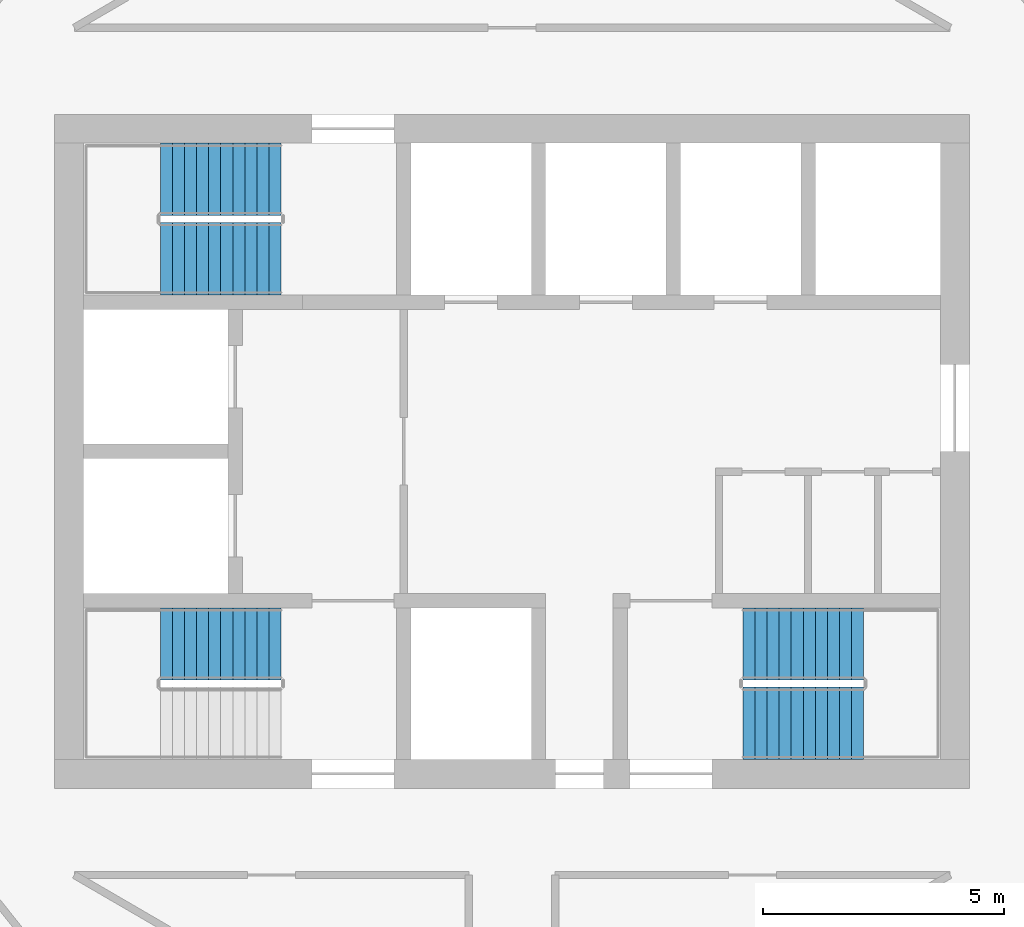
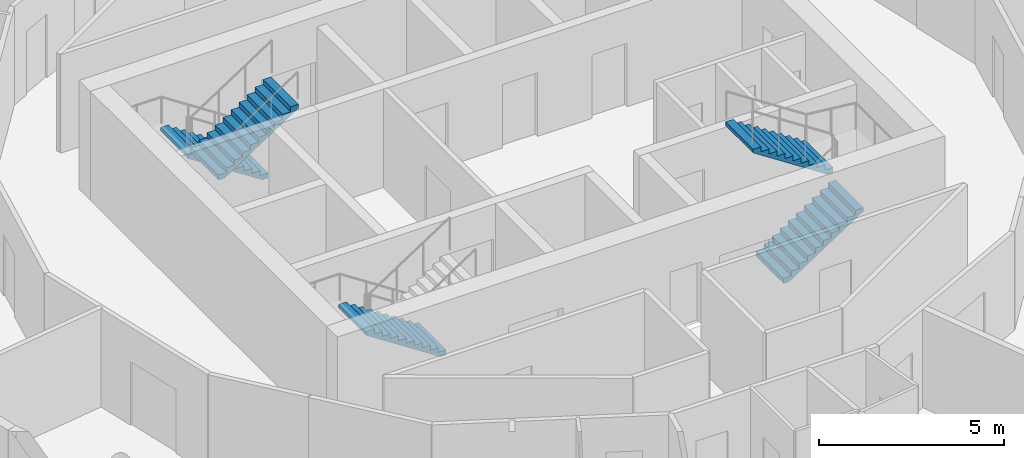
# One storey, part 12 of 13: 5 stair flights, 3 elements without a shape of their own.
"""IFC4 building model written with IfcOpenShell, lengths in metres."""

from ifc_helpers import new_model, si_unit, direction, frame, origin, place, context, subcontext, project, spatial, polyline, outline, extrude, material, type_object, element, aggregate, save


model = new_model("IFC4")

# Units and contexts
model_context = context("Model", 3, precision=1e-05, world=origin(), true_north=direction((0.0, 1.0)))
body_context = subcontext(model_context, "Body", "Model", "MODEL_VIEW")
ifc_project = project(units=[si_unit("LENGTHUNIT", "METRE"), si_unit("AREAUNIT", "SQUARE_METRE"), si_unit("VOLUMEUNIT", "CUBIC_METRE"), si_unit("PLANEANGLEUNIT", "RADIAN"), si_unit("MASSUNIT", "GRAM", prefix="KILO")], contexts=[model_context])

# Site, building, storey
site_placement = place(None, origin())
site = spatial("IfcSite", under=ifc_project, at=site_placement, CompositionType="ELEMENT")
building_placement = place(site_placement, origin())
building = spatial("IfcBuilding", under=site, at=building_placement, Name="Tracery Tower", CompositionType="ELEMENT")
storey_placement = place(building_placement, frame((0.0, 0.0, 319.800048828125)))
storey = spatial("IfcBuildingStorey", under=building, at=storey_placement, Name="L83", CompositionType="ELEMENT", Elevation=319.800048828125)

# Stair, stair flight
ifc_material_1 = material(Name="Concrete C32/40", Category="concrete")
stair_type = type_object("IfcStairType", Name="Core stair 22 risers", PredefinedType="HALF_TURN_STAIR", material=ifc_material_1)
stair_1_placement = place(storey_placement, origin())
stair_1 = element("IfcStair", 1, at=stair_1_placement, inside=storey, type_object=stair_type, Name="L83 stair ST1", PredefinedType="HALF_TURN_STAIR")
ifc_material_2 = material(Name="Concrete C32/40", Category="concrete")
stair_flight_type = type_object("IfcStairFlightType", Name="Core stair flight 11 risers", PredefinedType="STRAIGHT", material=ifc_material_2)
stair_flight_1_placement = place(storey_placement, frame((-4.800048828125, -4.0, 0.0), z_axis=(0.0, 0.0, 1.0), x_axis=(-1.0, 0.0, 0.0)))
stair_flight_1 = element("IfcStairFlight", 2, at=stair_flight_1_placement, type_object=stair_flight_type, Name="ST1 flight 1", NumberOfRisers=11, NumberOfTreads=10, PredefinedType="STRAIGHT", RiserHeight=0.163636364, TreadLength=0.25, context=body_context, shape_type="SweptSolid", body=[
    extrude(outline(polyline([(0.0, 0.0), (0.0, 0.002685546875), (0.0, 0.00537109375), (0.0, 0.008056640625), (0.0, 0.0107421875), (0.0, 0.013427734375), (0.0, 0.01611328125), (0.0, 0.018798828125), (0.0, 0.021484375), (0.0, 0.024169921875), (0.0, 0.02685546875), (0.0, 0.029541015625), (0.0, 0.0322265625), (0.0, 0.034912109375), (0.0, 0.03759765625), (0.0, 0.040283203125), (0.0, 0.04296875), (0.0, 0.045654296875), (0.0, 0.04833984375), (0.0, 0.051025390625), (0.0, 0.0537109375), (0.0, 0.056396484375), (0.0, 0.05908203125), (0.0, 0.061767578125), (0.0, 0.064453125), (0.0, 0.067138671875), (0.0, 0.06982421875), (0.0, 0.072509765625), (0.0, 0.0751953125), (0.0, 0.077880859375), (0.0, 0.08056640625), (0.0, 0.083251953125), (0.0, 0.0859375), (0.0, 0.088623046875), (0.0, 0.09130859375), (0.0, 0.093994140625), (0.0, 0.0966796875), (0.0, 0.099365234375), (0.0, 0.10205078125), (0.0, 0.104736328125), (0.0, 0.107421875), (0.0, 0.10986328125), (0.0, 0.112548828125), (0.0, 0.115234375), (0.0, 0.117919921875), (0.0, 0.12060546875), (0.0, 0.123291015625), (0.0, 0.1259765625), (0.0, 0.128662109375), (0.0, 0.13134765625), (0.0, 0.134033203125), (0.0, 0.13671875), (0.0, 0.139404296875), (0.0, 0.14208984375), (0.0, 0.144775390625), (0.0, 0.1474609375), (0.0, 0.150146484375), (0.0, 0.15283203125), (0.0, 0.155517578125), (0.0, 0.158203125), (0.0, 0.160888671875), (0.0, 0.16357421875), (0.25, 0.16357421875), (0.25, 0.327392578125), (0.5, 0.327392578125), (0.5, 0.490966796875), (0.75, 0.490966796875), (0.75, 0.654541015625), (1.0, 0.654541015625), (1.0, 0.818115234375), (1.25, 0.818115234375), (1.25, 0.98193359375), (1.5, 0.98193359375), (1.5, 1.1455078125), (1.75, 1.1455078125), (1.75, 1.30908203125), (2.0, 1.30908203125), (2.0, 1.47265625), (2.25, 1.47265625), (2.25, 1.636474609375), (2.5, 1.636474609375), (2.5, 1.634521484375), (2.5, 1.63232421875), (2.5, 1.63037109375), (2.5, 1.62841796875), (2.5, 1.62646484375), (2.5, 1.62451171875), (2.5, 1.62255859375), (2.5, 1.62060546875), (2.5, 1.61865234375), (2.5, 1.61669921875), (2.5, 1.61474609375), (2.5, 1.61279296875), (2.5, 1.61083984375), (2.5, 1.60888671875), (2.5, 1.60693359375), (2.5, 1.60498046875), (2.5, 1.60302734375), (2.5, 1.60107421875), (2.5, 1.59912109375), (2.5, 1.59716796875), (2.5, 1.59521484375), (2.5, 1.59326171875), (2.5, 1.59130859375), (2.5, 1.58935546875), (2.5, 1.58740234375), (2.5, 1.58544921875), (2.5, 1.58349609375), (2.5, 1.58154296875), (2.5, 1.57958984375), (2.5, 1.57763671875), (2.5, 1.57568359375), (2.5, 1.573486328125), (2.5, 1.571533203125), (2.5, 1.569580078125), (2.5, 1.567626953125), (2.5, 1.565673828125), (2.5, 1.563720703125), (2.5, 1.561767578125), (2.5, 1.559814453125), (2.5, 1.557861328125), (2.5, 1.555908203125), (2.5, 1.553955078125), (2.5, 1.552001953125), (2.5, 1.550048828125), (2.5, 1.548095703125), (2.5, 1.546142578125), (2.5, 1.544189453125), (2.5, 1.542236328125), (2.5, 1.540283203125), (2.5, 1.538330078125), (2.5, 1.536376953125), (2.5, 1.534423828125), (2.5, 1.532470703125), (2.5, 1.530517578125), (2.5, 1.528564453125), (2.5, 1.526611328125), (2.5, 1.524658203125), (2.5, 1.522705078125), (2.5, 1.520751953125), (2.5, 1.518798828125), (2.5, 1.516845703125), (0.182861328125, 0.0), (0.0, 0.0)])), frame((0.0, 0.75, 0.0), z_axis=(0.0, -1.0, 0.0), x_axis=(1.0, 0.0, 0.0)), (0.0, 0.0, 1.0), 1.5),
])
aggregate(stair_1, [stair_flight_1])

# Stair, stair flights
stair_2_placement = place(storey_placement, origin())
stair_2 = element("IfcStair", 3, at=stair_2_placement, inside=storey, type_object=stair_type, Name="L83 stair ST3", PredefinedType="HALF_TURN_STAIR")
stair_flight_2_placement = place(storey_placement, frame((-4.800048828125, 5.64990234375, 0.0), z_axis=(0.0, 0.0, 1.0), x_axis=(-1.0, 0.0, 0.0)))
stair_flight_2 = element("IfcStairFlight", 4, at=stair_flight_2_placement, type_object=stair_flight_type, Name="ST3 flight 1", NumberOfRisers=11, NumberOfTreads=10, PredefinedType="STRAIGHT", RiserHeight=0.163636364, TreadLength=0.25, context=body_context, shape_type="SweptSolid", body=[
    extrude(outline(polyline([(0.0, 0.0), (0.0, 0.002685546875), (0.0, 0.00537109375), (0.0, 0.008056640625), (0.0, 0.0107421875), (0.0, 0.013427734375), (0.0, 0.01611328125), (0.0, 0.018798828125), (0.0, 0.021484375), (0.0, 0.024169921875), (0.0, 0.02685546875), (0.0, 0.029541015625), (0.0, 0.0322265625), (0.0, 0.034912109375), (0.0, 0.03759765625), (0.0, 0.040283203125), (0.0, 0.04296875), (0.0, 0.045654296875), (0.0, 0.04833984375), (0.0, 0.051025390625), (0.0, 0.0537109375), (0.0, 0.056396484375), (0.0, 0.05908203125), (0.0, 0.061767578125), (0.0, 0.064453125), (0.0, 0.067138671875), (0.0, 0.06982421875), (0.0, 0.072509765625), (0.0, 0.0751953125), (0.0, 0.077880859375), (0.0, 0.08056640625), (0.0, 0.083251953125), (0.0, 0.0859375), (0.0, 0.088623046875), (0.0, 0.09130859375), (0.0, 0.093994140625), (0.0, 0.0966796875), (0.0, 0.099365234375), (0.0, 0.10205078125), (0.0, 0.104736328125), (0.0, 0.107421875), (0.0, 0.10986328125), (0.0, 0.112548828125), (0.0, 0.115234375), (0.0, 0.117919921875), (0.0, 0.12060546875), (0.0, 0.123291015625), (0.0, 0.1259765625), (0.0, 0.128662109375), (0.0, 0.13134765625), (0.0, 0.134033203125), (0.0, 0.13671875), (0.0, 0.139404296875), (0.0, 0.14208984375), (0.0, 0.144775390625), (0.0, 0.1474609375), (0.0, 0.150146484375), (0.0, 0.15283203125), (0.0, 0.155517578125), (0.0, 0.158203125), (0.0, 0.160888671875), (0.0, 0.16357421875), (0.25, 0.16357421875), (0.25, 0.327392578125), (0.5, 0.327392578125), (0.5, 0.490966796875), (0.75, 0.490966796875), (0.75, 0.654541015625), (1.0, 0.654541015625), (1.0, 0.818115234375), (1.25, 0.818115234375), (1.25, 0.98193359375), (1.5, 0.98193359375), (1.5, 1.1455078125), (1.75, 1.1455078125), (1.75, 1.30908203125), (2.0, 1.30908203125), (2.0, 1.47265625), (2.25, 1.47265625), (2.25, 1.636474609375), (2.5, 1.636474609375), (2.5, 1.634521484375), (2.5, 1.63232421875), (2.5, 1.63037109375), (2.5, 1.62841796875), (2.5, 1.62646484375), (2.5, 1.62451171875), (2.5, 1.62255859375), (2.5, 1.62060546875), (2.5, 1.61865234375), (2.5, 1.61669921875), (2.5, 1.61474609375), (2.5, 1.61279296875), (2.5, 1.61083984375), (2.5, 1.60888671875), (2.5, 1.60693359375), (2.5, 1.60498046875), (2.5, 1.60302734375), (2.5, 1.60107421875), (2.5, 1.59912109375), (2.5, 1.59716796875), (2.5, 1.59521484375), (2.5, 1.59326171875), (2.5, 1.59130859375), (2.5, 1.58935546875), (2.5, 1.58740234375), (2.5, 1.58544921875), (2.5, 1.58349609375), (2.5, 1.58154296875), (2.5, 1.57958984375), (2.5, 1.57763671875), (2.5, 1.57568359375), (2.5, 1.573486328125), (2.5, 1.571533203125), (2.5, 1.569580078125), (2.5, 1.567626953125), (2.5, 1.565673828125), (2.5, 1.563720703125), (2.5, 1.561767578125), (2.5, 1.559814453125), (2.5, 1.557861328125), (2.5, 1.555908203125), (2.5, 1.553955078125), (2.5, 1.552001953125), (2.5, 1.550048828125), (2.5, 1.548095703125), (2.5, 1.546142578125), (2.5, 1.544189453125), (2.5, 1.542236328125), (2.5, 1.540283203125), (2.5, 1.538330078125), (2.5, 1.536376953125), (2.5, 1.534423828125), (2.5, 1.532470703125), (2.5, 1.530517578125), (2.5, 1.528564453125), (2.5, 1.526611328125), (2.5, 1.524658203125), (2.5, 1.522705078125), (2.5, 1.520751953125), (2.5, 1.518798828125), (2.5, 1.516845703125), (0.182861328125, 0.0), (0.0, 0.0)])), frame((0.0, 0.75, 0.0), z_axis=(0.0, -1.0, 0.0), x_axis=(1.0, 0.0, 0.0)), (0.0, 0.0, 1.0), 1.5),
])
stair_flight_3_placement = place(storey_placement, frame((-7.300048828125, 4.0, 1.800048828125), z_axis=(0.0, 0.0, 1.0), x_axis=(1.0, 0.0, 0.0)))
stair_flight_3 = element("IfcStairFlight", 5, at=stair_flight_3_placement, type_object=stair_flight_type, Name="ST3 flight 2", NumberOfRisers=11, NumberOfTreads=10, PredefinedType="STRAIGHT", RiserHeight=0.163636364, TreadLength=0.25, context=body_context, shape_type="SweptSolid", body=[
    extrude(outline(polyline([(0.0, 0.0), (0.0, 0.002685546875), (0.0, 0.00537109375), (0.0, 0.008056640625), (0.0, 0.0107421875), (0.0, 0.013427734375), (0.0, 0.01611328125), (0.0, 0.018798828125), (0.0, 0.021484375), (0.0, 0.024169921875), (0.0, 0.02685546875), (0.0, 0.029541015625), (0.0, 0.0322265625), (0.0, 0.034912109375), (0.0, 0.03759765625), (0.0, 0.040283203125), (0.0, 0.04296875), (0.0, 0.045654296875), (0.0, 0.04833984375), (0.0, 0.051025390625), (0.0, 0.0537109375), (0.0, 0.056396484375), (0.0, 0.05908203125), (0.0, 0.061767578125), (0.0, 0.064453125), (0.0, 0.067138671875), (0.0, 0.06982421875), (0.0, 0.072509765625), (0.0, 0.0751953125), (0.0, 0.077880859375), (0.0, 0.08056640625), (0.0, 0.083251953125), (0.0, 0.0859375), (0.0, 0.088623046875), (0.0, 0.09130859375), (0.0, 0.093994140625), (0.0, 0.0966796875), (0.0, 0.099365234375), (0.0, 0.10205078125), (0.0, 0.104736328125), (0.0, 0.107421875), (0.0, 0.10986328125), (0.0, 0.112548828125), (0.0, 0.115234375), (0.0, 0.117919921875), (0.0, 0.12060546875), (0.0, 0.123291015625), (0.0, 0.1259765625), (0.0, 0.128662109375), (0.0, 0.13134765625), (0.0, 0.134033203125), (0.0, 0.13671875), (0.0, 0.139404296875), (0.0, 0.14208984375), (0.0, 0.144775390625), (0.0, 0.1474609375), (0.0, 0.150146484375), (0.0, 0.15283203125), (0.0, 0.155517578125), (0.0, 0.158203125), (0.0, 0.160888671875), (0.0, 0.16357421875), (0.25, 0.16357421875), (0.25, 0.327392578125), (0.5, 0.327392578125), (0.5, 0.490966796875), (0.75, 0.490966796875), (0.75, 0.654541015625), (1.0, 0.654541015625), (1.0, 0.818115234375), (1.25, 0.818115234375), (1.25, 0.98193359375), (1.5, 0.98193359375), (1.5, 1.1455078125), (1.75, 1.1455078125), (1.75, 1.30908203125), (2.0, 1.30908203125), (2.0, 1.47265625), (2.25, 1.47265625), (2.25, 1.636474609375), (2.5, 1.636474609375), (2.5, 1.634521484375), (2.5, 1.63232421875), (2.5, 1.63037109375), (2.5, 1.62841796875), (2.5, 1.62646484375), (2.5, 1.62451171875), (2.5, 1.62255859375), (2.5, 1.62060546875), (2.5, 1.61865234375), (2.5, 1.61669921875), (2.5, 1.61474609375), (2.5, 1.61279296875), (2.5, 1.61083984375), (2.5, 1.60888671875), (2.5, 1.60693359375), (2.5, 1.60498046875), (2.5, 1.60302734375), (2.5, 1.60107421875), (2.5, 1.59912109375), (2.5, 1.59716796875), (2.5, 1.59521484375), (2.5, 1.59326171875), (2.5, 1.59130859375), (2.5, 1.58935546875), (2.5, 1.58740234375), (2.5, 1.58544921875), (2.5, 1.58349609375), (2.5, 1.58154296875), (2.5, 1.57958984375), (2.5, 1.57763671875), (2.5, 1.57568359375), (2.5, 1.573486328125), (2.5, 1.571533203125), (2.5, 1.569580078125), (2.5, 1.567626953125), (2.5, 1.565673828125), (2.5, 1.563720703125), (2.5, 1.561767578125), (2.5, 1.559814453125), (2.5, 1.557861328125), (2.5, 1.555908203125), (2.5, 1.553955078125), (2.5, 1.552001953125), (2.5, 1.550048828125), (2.5, 1.548095703125), (2.5, 1.546142578125), (2.5, 1.544189453125), (2.5, 1.542236328125), (2.5, 1.540283203125), (2.5, 1.538330078125), (2.5, 1.536376953125), (2.5, 1.534423828125), (2.5, 1.532470703125), (2.5, 1.530517578125), (2.5, 1.528564453125), (2.5, 1.526611328125), (2.5, 1.524658203125), (2.5, 1.522705078125), (2.5, 1.520751953125), (2.5, 1.518798828125), (2.5, 1.516845703125), (0.182861328125, 0.0), (0.0, 0.0)])), frame((0.0, 0.75, 0.0), z_axis=(0.0, -1.0, 0.0), x_axis=(1.0, 0.0, 0.0)), (0.0, 0.0, 1.0), 1.5),
])
aggregate(stair_2, [stair_flight_2, stair_flight_3])

stair_3_placement = place(storey_placement, origin())
stair_3 = element("IfcStair", 6, at=stair_3_placement, inside=storey, type_object=stair_type, Name="L83 stair ST2", PredefinedType="HALF_TURN_STAIR")
stair_flight_4_placement = place(storey_placement, frame((4.800048828125, -5.64990234375, 0.0), z_axis=(0.0, 0.0, 1.0), x_axis=(1.0, 0.0, 0.0)))
stair_flight_4 = element("IfcStairFlight", 7, at=stair_flight_4_placement, type_object=stair_flight_type, Name="ST2 flight 1", NumberOfRisers=11, NumberOfTreads=10, PredefinedType="STRAIGHT", RiserHeight=0.163636364, TreadLength=0.25, context=body_context, shape_type="SweptSolid", body=[
    extrude(outline(polyline([(0.0, 0.0), (0.0, 0.002685546875), (0.0, 0.00537109375), (0.0, 0.008056640625), (0.0, 0.0107421875), (0.0, 0.013427734375), (0.0, 0.01611328125), (0.0, 0.018798828125), (0.0, 0.021484375), (0.0, 0.024169921875), (0.0, 0.02685546875), (0.0, 0.029541015625), (0.0, 0.0322265625), (0.0, 0.034912109375), (0.0, 0.03759765625), (0.0, 0.040283203125), (0.0, 0.04296875), (0.0, 0.045654296875), (0.0, 0.04833984375), (0.0, 0.051025390625), (0.0, 0.0537109375), (0.0, 0.056396484375), (0.0, 0.05908203125), (0.0, 0.061767578125), (0.0, 0.064453125), (0.0, 0.067138671875), (0.0, 0.06982421875), (0.0, 0.072509765625), (0.0, 0.0751953125), (0.0, 0.077880859375), (0.0, 0.08056640625), (0.0, 0.083251953125), (0.0, 0.0859375), (0.0, 0.088623046875), (0.0, 0.09130859375), (0.0, 0.093994140625), (0.0, 0.0966796875), (0.0, 0.099365234375), (0.0, 0.10205078125), (0.0, 0.104736328125), (0.0, 0.107421875), (0.0, 0.10986328125), (0.0, 0.112548828125), (0.0, 0.115234375), (0.0, 0.117919921875), (0.0, 0.12060546875), (0.0, 0.123291015625), (0.0, 0.1259765625), (0.0, 0.128662109375), (0.0, 0.13134765625), (0.0, 0.134033203125), (0.0, 0.13671875), (0.0, 0.139404296875), (0.0, 0.14208984375), (0.0, 0.144775390625), (0.0, 0.1474609375), (0.0, 0.150146484375), (0.0, 0.15283203125), (0.0, 0.155517578125), (0.0, 0.158203125), (0.0, 0.160888671875), (0.0, 0.16357421875), (0.25, 0.16357421875), (0.25, 0.327392578125), (0.5, 0.327392578125), (0.5, 0.490966796875), (0.75, 0.490966796875), (0.75, 0.654541015625), (1.0, 0.654541015625), (1.0, 0.818115234375), (1.25, 0.818115234375), (1.25, 0.98193359375), (1.5, 0.98193359375), (1.5, 1.1455078125), (1.75, 1.1455078125), (1.75, 1.30908203125), (2.0, 1.30908203125), (2.0, 1.47265625), (2.25, 1.47265625), (2.25, 1.636474609375), (2.5, 1.636474609375), (2.5, 1.634521484375), (2.5, 1.63232421875), (2.5, 1.63037109375), (2.5, 1.62841796875), (2.5, 1.62646484375), (2.5, 1.62451171875), (2.5, 1.62255859375), (2.5, 1.62060546875), (2.5, 1.61865234375), (2.5, 1.61669921875), (2.5, 1.61474609375), (2.5, 1.61279296875), (2.5, 1.61083984375), (2.5, 1.60888671875), (2.5, 1.60693359375), (2.5, 1.60498046875), (2.5, 1.60302734375), (2.5, 1.60107421875), (2.5, 1.59912109375), (2.5, 1.59716796875), (2.5, 1.59521484375), (2.5, 1.59326171875), (2.5, 1.59130859375), (2.5, 1.58935546875), (2.5, 1.58740234375), (2.5, 1.58544921875), (2.5, 1.58349609375), (2.5, 1.58154296875), (2.5, 1.57958984375), (2.5, 1.57763671875), (2.5, 1.57568359375), (2.5, 1.573486328125), (2.5, 1.571533203125), (2.5, 1.569580078125), (2.5, 1.567626953125), (2.5, 1.565673828125), (2.5, 1.563720703125), (2.5, 1.561767578125), (2.5, 1.559814453125), (2.5, 1.557861328125), (2.5, 1.555908203125), (2.5, 1.553955078125), (2.5, 1.552001953125), (2.5, 1.550048828125), (2.5, 1.548095703125), (2.5, 1.546142578125), (2.5, 1.544189453125), (2.5, 1.542236328125), (2.5, 1.540283203125), (2.5, 1.538330078125), (2.5, 1.536376953125), (2.5, 1.534423828125), (2.5, 1.532470703125), (2.5, 1.530517578125), (2.5, 1.528564453125), (2.5, 1.526611328125), (2.5, 1.524658203125), (2.5, 1.522705078125), (2.5, 1.520751953125), (2.5, 1.518798828125), (2.5, 1.516845703125), (0.182861328125, 0.0), (0.0, 0.0)])), frame((0.0, 0.75, 0.0), z_axis=(0.0, -1.0, 0.0), x_axis=(1.0, 0.0, 0.0)), (0.0, 0.0, 1.0), 1.5),
])
stair_flight_5_placement = place(storey_placement, frame((7.300048828125, -4.0, 1.800048828125), z_axis=(0.0, 0.0, 1.0), x_axis=(-1.0, 0.0, 0.0)))
stair_flight_5 = element("IfcStairFlight", 8, at=stair_flight_5_placement, type_object=stair_flight_type, Name="ST2 flight 2", NumberOfRisers=11, NumberOfTreads=10, PredefinedType="STRAIGHT", RiserHeight=0.163636364, TreadLength=0.25, context=body_context, shape_type="SweptSolid", body=[
    extrude(outline(polyline([(0.0, 0.0), (0.0, 0.002685546875), (0.0, 0.00537109375), (0.0, 0.008056640625), (0.0, 0.0107421875), (0.0, 0.013427734375), (0.0, 0.01611328125), (0.0, 0.018798828125), (0.0, 0.021484375), (0.0, 0.024169921875), (0.0, 0.02685546875), (0.0, 0.029541015625), (0.0, 0.0322265625), (0.0, 0.034912109375), (0.0, 0.03759765625), (0.0, 0.040283203125), (0.0, 0.04296875), (0.0, 0.045654296875), (0.0, 0.04833984375), (0.0, 0.051025390625), (0.0, 0.0537109375), (0.0, 0.056396484375), (0.0, 0.05908203125), (0.0, 0.061767578125), (0.0, 0.064453125), (0.0, 0.067138671875), (0.0, 0.06982421875), (0.0, 0.072509765625), (0.0, 0.0751953125), (0.0, 0.077880859375), (0.0, 0.08056640625), (0.0, 0.083251953125), (0.0, 0.0859375), (0.0, 0.088623046875), (0.0, 0.09130859375), (0.0, 0.093994140625), (0.0, 0.0966796875), (0.0, 0.099365234375), (0.0, 0.10205078125), (0.0, 0.104736328125), (0.0, 0.107421875), (0.0, 0.10986328125), (0.0, 0.112548828125), (0.0, 0.115234375), (0.0, 0.117919921875), (0.0, 0.12060546875), (0.0, 0.123291015625), (0.0, 0.1259765625), (0.0, 0.128662109375), (0.0, 0.13134765625), (0.0, 0.134033203125), (0.0, 0.13671875), (0.0, 0.139404296875), (0.0, 0.14208984375), (0.0, 0.144775390625), (0.0, 0.1474609375), (0.0, 0.150146484375), (0.0, 0.15283203125), (0.0, 0.155517578125), (0.0, 0.158203125), (0.0, 0.160888671875), (0.0, 0.16357421875), (0.25, 0.16357421875), (0.25, 0.327392578125), (0.5, 0.327392578125), (0.5, 0.490966796875), (0.75, 0.490966796875), (0.75, 0.654541015625), (1.0, 0.654541015625), (1.0, 0.818115234375), (1.25, 0.818115234375), (1.25, 0.98193359375), (1.5, 0.98193359375), (1.5, 1.1455078125), (1.75, 1.1455078125), (1.75, 1.30908203125), (2.0, 1.30908203125), (2.0, 1.47265625), (2.25, 1.47265625), (2.25, 1.636474609375), (2.5, 1.636474609375), (2.5, 1.634521484375), (2.5, 1.63232421875), (2.5, 1.63037109375), (2.5, 1.62841796875), (2.5, 1.62646484375), (2.5, 1.62451171875), (2.5, 1.62255859375), (2.5, 1.62060546875), (2.5, 1.61865234375), (2.5, 1.61669921875), (2.5, 1.61474609375), (2.5, 1.61279296875), (2.5, 1.61083984375), (2.5, 1.60888671875), (2.5, 1.60693359375), (2.5, 1.60498046875), (2.5, 1.60302734375), (2.5, 1.60107421875), (2.5, 1.59912109375), (2.5, 1.59716796875), (2.5, 1.59521484375), (2.5, 1.59326171875), (2.5, 1.59130859375), (2.5, 1.58935546875), (2.5, 1.58740234375), (2.5, 1.58544921875), (2.5, 1.58349609375), (2.5, 1.58154296875), (2.5, 1.57958984375), (2.5, 1.57763671875), (2.5, 1.57568359375), (2.5, 1.573486328125), (2.5, 1.571533203125), (2.5, 1.569580078125), (2.5, 1.567626953125), (2.5, 1.565673828125), (2.5, 1.563720703125), (2.5, 1.561767578125), (2.5, 1.559814453125), (2.5, 1.557861328125), (2.5, 1.555908203125), (2.5, 1.553955078125), (2.5, 1.552001953125), (2.5, 1.550048828125), (2.5, 1.548095703125), (2.5, 1.546142578125), (2.5, 1.544189453125), (2.5, 1.542236328125), (2.5, 1.540283203125), (2.5, 1.538330078125), (2.5, 1.536376953125), (2.5, 1.534423828125), (2.5, 1.532470703125), (2.5, 1.530517578125), (2.5, 1.528564453125), (2.5, 1.526611328125), (2.5, 1.524658203125), (2.5, 1.522705078125), (2.5, 1.520751953125), (2.5, 1.518798828125), (2.5, 1.516845703125), (0.182861328125, 0.0), (0.0, 0.0)])), frame((0.0, 0.75, 0.0), z_axis=(0.0, -1.0, 0.0), x_axis=(1.0, 0.0, 0.0)), (0.0, 0.0, 1.0), 1.5),
])
aggregate(stair_3, [stair_flight_4, stair_flight_5])

save(model, "model.ifc")
